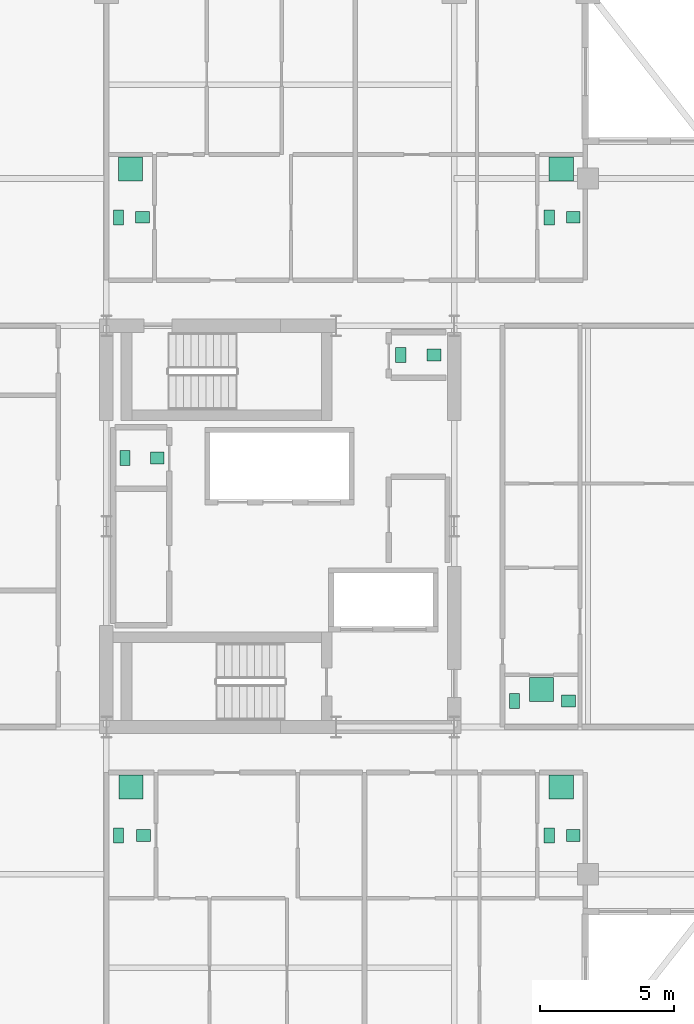
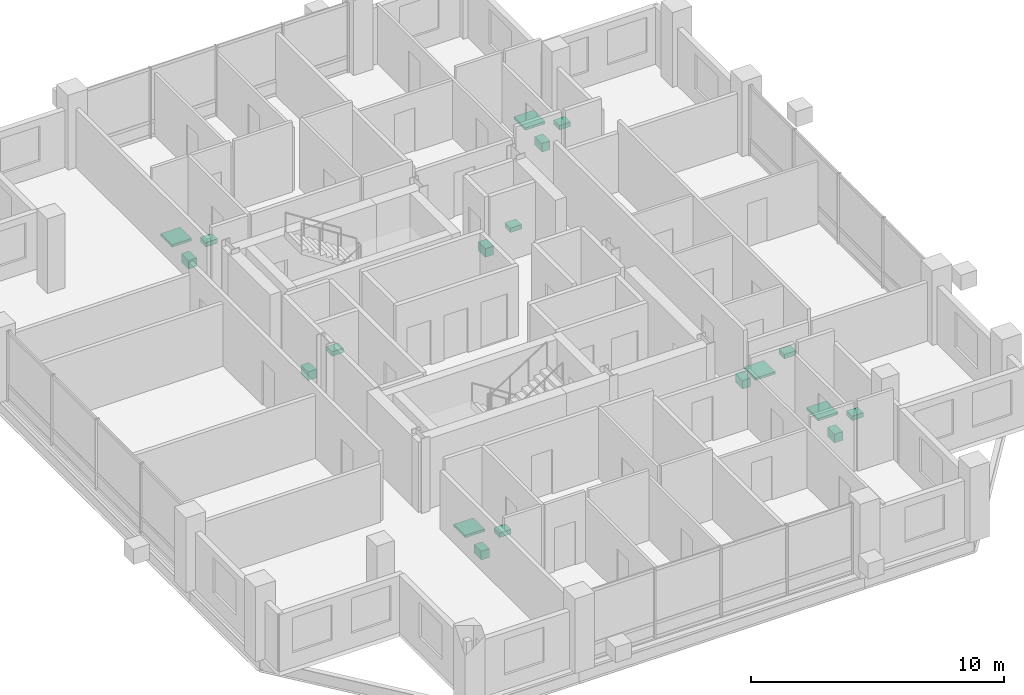
# One storey, part 21 of 21: 19 sanitary terminals.
"""IFC4 building model written with IfcOpenShell, lengths in metres."""

import ifcopenshell
import ifcopenshell.guid

model = None  # the IFC model being written
_history = None  # IfcOwnerHistory: only IFC2X3 demands one
_inside = {}  # id of a spatial element -> (the spatial element, [elements in it])
_under = {}  # id of a project, library or spatial element -> (it, [spatial elements below it])
_declared = {}  # id of a project -> (the project, [libraries it declares])
_typed = {}  # id of a type object -> (the type object, [elements of that type])
_made_of = {}  # id of a material, layer set ... -> (it, [elements and type objects made of it])


def new_model(schema):
    """Start an empty IFC model of exactly this schema.

    Asked for "IFC4X3", IfcOpenShell would pick the latest addendum, in which some entities
    have other attributes; the version numbers below select the first issue.
    IFC2X3 requires an IfcOwnerHistory on every rooted entity: one is made here for all.
    """
    global model, _history
    if schema == "IFC4X3":
        model = ifcopenshell.file(schema_version=(4, 3, 0, 0))
    else:
        model = ifcopenshell.file(schema=schema)
    _inside.clear()
    _under.clear()
    _declared.clear()
    _typed.clear()
    _made_of.clear()
    _history = None
    if model.schema == "IFC2X3":
        org = make("IfcOrganization", Name="unknown")
        user = make(
            "IfcPersonAndOrganization",
            ThePerson=make("IfcPerson", FamilyName="unknown"),
            TheOrganization=org,
        )
        app = make(
            "IfcApplication",
            ApplicationDeveloper=org,
            Version="unknown",
            ApplicationFullName="unknown",
            ApplicationIdentifier="unknown",
        )
        _history = make(
            "IfcOwnerHistory",
            OwningUser=user,
            OwningApplication=app,
            ChangeAction="ADDED",
            CreationDate=0,
        )
    return model


def make(cls, **values):
    """One entity of the class cls with the attributes given. An attribute that is None is left unset."""
    return model.create_entity(
        cls, **{name: value for name, value in values.items() if value is not None}
    )


def rooted(cls, **values):
    """An entity with a GlobalId (a new one), such as an element, a storey or a relation."""
    return make(cls, GlobalId=ifcopenshell.guid.new(), OwnerHistory=_history, **values)


def si_unit(unit_type, name, prefix=None):
    """IfcSIUnit, for example si_unit("LENGTHUNIT", "METRE", prefix="MILLI")."""
    return make("IfcSIUnit", UnitType=unit_type, Prefix=prefix, Name=name)


def assignment(units):
    """IfcUnitAssignment: the units of a project."""
    return None if units is None else make("IfcUnitAssignment", Units=units)


def point(xyz):
    """IfcCartesianPoint."""
    return None if xyz is None else make("IfcCartesianPoint", Coordinates=xyz)


def direction(xyz):
    """IfcDirection."""
    return None if xyz is None else make("IfcDirection", DirectionRatios=xyz)


def frame(location, z_axis=None, x_axis=None):
    """IfcAxis2Placement3D, a coordinate frame: its origin and axes. An axis left out is left unset."""
    return make(
        "IfcAxis2Placement3D",
        Location=point(location),
        Axis=direction(z_axis),
        RefDirection=direction(x_axis),
    )


def frame_2d(location, x_axis=None):
    """IfcAxis2Placement2D, a coordinate frame in the plane: its origin and x axis."""
    return make(
        "IfcAxis2Placement2D", Location=point(location), RefDirection=direction(x_axis)
    )


def origin():
    """The frame at (0, 0, 0) with its axes left unset."""
    return frame((0.0, 0.0, 0.0))


def origin_2d():
    """The frame at (0, 0) in the plane with its x axis left unset."""
    return frame_2d((0.0, 0.0))


def place(relative_to, where):
    """IfcLocalPlacement: puts the frame where relative to a parent placement (None: the world)."""
    return make(
        "IfcLocalPlacement", PlacementRelTo=relative_to, RelativePlacement=where
    )


def context(
    kind, dimensions, precision=None, world=None, true_north=None, identifier=None
):
    """IfcGeometricRepresentationContext, for example the 3D "Model" context."""
    return make(
        "IfcGeometricRepresentationContext",
        ContextIdentifier=identifier,
        ContextType=kind,
        CoordinateSpaceDimension=dimensions,
        Precision=precision,
        WorldCoordinateSystem=world,
        TrueNorth=true_north,
    )


def subcontext(parent, identifier, kind, view, scale=None):
    """IfcGeometricRepresentationSubContext, for example "Body" below "Model"."""
    return make(
        "IfcGeometricRepresentationSubContext",
        ContextIdentifier=identifier,
        ContextType=kind,
        ParentContext=parent,
        TargetScale=scale,
        TargetView=view,
    )


def project(units=None, contexts=None):
    """IfcProject with its units and contexts."""
    return rooted(
        "IfcProject",
        Name="project",
        RepresentationContexts=contexts,
        UnitsInContext=assignment(units),
    )


def spatial(cls, under=None, at=None, **own):
    """A site, building, storey or space (cls), placed at a placement, below another one or the project."""
    s = rooted(cls, ObjectPlacement=at, **own)
    if under is not None:
        _under.setdefault(under.id(), (under, []))[1].append(s)
    return s


def profile(cls, at=None, kind="AREA", **sizes):
    """A parametric profile (cls). Its sizes go by their IFC names, for example OverallWidth=200.0."""
    return make(cls, ProfileType=kind, Position=at, **sizes)


def rectangle(**sizes):
    """IfcRectangleProfileDef."""
    return profile("IfcRectangleProfileDef", **sizes)


def extrude(swept, where, along, depth):
    """IfcExtrudedAreaSolid: the profile swept, set in the frame where, extruded along a direction by depth."""
    return make(
        "IfcExtrudedAreaSolid",
        SweptArea=swept,
        Position=where,
        ExtrudedDirection=direction(along),
        Depth=depth,
    )


def shape(context_of_items, identifier, shape_type, items):
    """IfcShapeRepresentation: the items that make up one representation, for example the "Body"."""
    return make(
        "IfcShapeRepresentation",
        ContextOfItems=context_of_items,
        RepresentationIdentifier=identifier,
        RepresentationType=shape_type,
        Items=items,
    )


def material(Name=None, Category=None):
    """IfcMaterial."""
    return make("IfcMaterial", Name=Name, Category=Category)


def made_of(thing, what):
    """Note that an element or type object is made of a material, layer set ...; save() writes the relation."""
    if what is not None:
        _made_of.setdefault(what.id(), (what, []))[1].append(thing)
    return thing


def type_object(cls, material=None, **own):
    """A type object (cls), such as IfcWallType, which elements share."""
    return made_of(rooted(cls, **own), material)


def element(
    cls,
    number,
    at=None,
    inside=None,
    cuts=None,
    type_object=None,
    material=None,
    context=None,
    identifier="Body",
    shape_type=None,
    held_by="IfcProductDefinitionShape",
    body=None,
    shapes=None,
    **own,
):
    """One element of the class cls, such as IfcWall. Its Tag is "e" and its number.

    at: its placement. inside: the storey or other place that contains it. cuts: it is an
    opening in that element (IfcRelVoidsElement). A single representation is given by context,
    identifier, shape_type and body (its items); several are given by shapes. held_by: the class
    of the entity that holds the representations. save() writes the other relations.
    """
    e = rooted(cls, Tag="e%d" % number, ObjectPlacement=at, **own)
    if body is not None:
        shapes = [shape(context, identifier, shape_type, body)]
    if shapes is not None:
        e.Representation = make(held_by, Representations=shapes)
    if inside is not None:
        _inside.setdefault(inside.id(), (inside, []))[1].append(e)
    if cuts is not None:
        rooted(
            "IfcRelVoidsElement", RelatingBuildingElement=cuts, RelatedOpeningElement=e
        )
    if type_object is not None:
        _typed.setdefault(type_object.id(), (type_object, []))[1].append(e)
    return made_of(e, material)


def aggregate(whole, parts):
    """IfcRelAggregates: a whole, such as a stair, and the parts it consists of."""
    return rooted("IfcRelAggregates", RelatingObject=whole, RelatedObjects=parts)


def save(model, path):
    """Write the relations noted so far, then the file.

    IfcRelAggregates (storeys below a building ...), IfcRelContainedInSpatialStructure (elements
    in a storey), IfcRelDefinesByType, IfcRelAssociatesMaterial and IfcRelDeclares: one each for
    every whole, place, type object, material and project.
    """
    for whole, parts in _under.values():
        aggregate(whole, parts)
    for where, things in _inside.values():
        rooted(
            "IfcRelContainedInSpatialStructure",
            RelatedElements=things,
            RelatingStructure=where,
        )
    for kind, things in _typed.values():
        rooted("IfcRelDefinesByType", RelatedObjects=things, RelatingType=kind)
    for what, things in _made_of.values():
        rooted("IfcRelAssociatesMaterial", RelatedObjects=things, RelatingMaterial=what)
    for by, libraries in _declared.values():
        rooted("IfcRelDeclares", RelatingContext=by, RelatedDefinitions=libraries)
    model.write(path)


model = new_model("IFC4")

# Units and contexts
model_context = context("Model", 3, precision=1e-05, world=origin(), true_north=direction((0.0, 1.0)))
body_context = subcontext(model_context, "Body", "Model", "MODEL_VIEW")
ifc_project = project(units=[si_unit("LENGTHUNIT", "METRE"), si_unit("AREAUNIT", "SQUARE_METRE"), si_unit("VOLUMEUNIT", "CUBIC_METRE"), si_unit("PLANEANGLEUNIT", "RADIAN"), si_unit("MASSUNIT", "GRAM", prefix="KILO")], contexts=[model_context])

# Site, building, storey
site_placement = place(None, origin())
site = spatial("IfcSite", under=ifc_project, at=site_placement, CompositionType="ELEMENT")
building_placement = place(site_placement, origin())
building = spatial("IfcBuilding", under=site, at=building_placement, Name="Barlavira Tower and Art Museum", CompositionType="ELEMENT")
storey_placement = place(building_placement, frame((0.0, 0.0, 233.10009765625)))
storey = spatial("IfcBuildingStorey", under=building, at=storey_placement, Name="L60", CompositionType="ELEMENT", Elevation=233.10009765625)

# Sanitary terminals
ifc_material = material(Name="Vitreous glazed ceramic", Category="ceramic")
sanitary_terminal_type_1 = type_object("IfcSanitaryTerminalType", Name="Countertop Ceramic Wash Hand Basin", PredefinedType="WASHHANDBASIN", material=ifc_material)
for number, where, z_axis, x_axis, name in (
    (1, (-4.60009765625, 2.550048828125, 0.73974609375), (0.0, 0.0, 1.0), (1.0, 0.0, 0.0), "L60-C-REC1W Wash Basin"),
    (2, (5.75, 6.39990234375, 0.73974609375), (0.0, 0.0, 1.0), (1.0, 0.0, 0.0), "L60-C-AWC4 Wash Basin"),
    (3, (-5.110107421875, -11.550048828125, 0.73974609375), (0.0, 0.0, 1.0), (1.0, 0.0, 0.0), "L60-S1-BTH1 Wash Basin"),
    (4, (10.949951171875, -11.550048828125, 0.73974609375), (0.0, 0.0, 1.0), (1.0, 0.0, 0.0), "L60-S2-BTH1 Wash Basin"),
    (5, (-5.14990234375, 11.550048828125, 0.73974609375), (0.0, 0.0, 1.0), (1.0, 0.0, 0.0), "L60-N1-BTH1 Wash Basin"),
    (6, (10.949951171875, 11.550048828125, 0.73974609375), (0.0, 0.0, 1.0), (1.0, 0.0, 0.0), "L60-N2-BTH1 Wash Basin"),
    (7, (10.77001953125, -6.52490234375, 0.73974609375), (0.0, 0.0, 1.0), (1.0, 0.0, 0.0), "L60-E1-BTH1 Wash Basin"),
):
    element("IfcSanitaryTerminal", number, at=place(storey_placement, frame(where, z_axis=z_axis, x_axis=x_axis)), inside=storey, type_object=sanitary_terminal_type_1, Name=name, PredefinedType="WASHHANDBASIN", context=body_context, shape_type="SweptSolid", body=[
        extrude(rectangle(XDim=0.52001953125, YDim=0.43994140625, at=origin_2d()), origin(), (0.0, 0.0, 1.0), 0.219970703125),
    ])
sanitary_terminal_type_2 = type_object("IfcSanitaryTerminalType", Name="Walk-In Thermostatic Rain Shower Unit", PredefinedType="SHOWER", material=ifc_material)
for number, where, z_axis, x_axis, name in (
    (8, (-5.580078125, -9.75, -0.000244140625), (0.0, 0.0, 1.0), (1.0, 0.0, 0.0), "L60-S1-BTH1 Rain Shower"),
    (9, (10.5, -9.75, -0.000244140625), (0.0, 0.0, 1.0), (1.0, 0.0, 0.0), "L60-S2-BTH1 Rain Shower"),
    (10, (-5.60009765625, 13.35009765625, -0.000244140625), (0.0, 0.0, 1.0), (1.0, 0.0, 0.0), "L60-N1-BTH1 Rain Shower"),
    (11, (10.5, 13.35009765625, -0.000244140625), (0.0, 0.0, 1.0), (1.0, 0.0, 0.0), "L60-N2-BTH1 Rain Shower"),
    (12, (9.760009765625, -6.10009765625, -0.000244140625), (0.0, 0.0, 1.0), (1.0, 0.0, 0.0), "L60-E1-BTH1 Rain Shower"),
):
    element("IfcSanitaryTerminal", number, at=place(storey_placement, frame(where, z_axis=z_axis, x_axis=x_axis)), inside=storey, type_object=sanitary_terminal_type_2, Name=name, PredefinedType="SHOWER", context=body_context, shape_type="SweptSolid", body=[
        extrude(rectangle(XDim=0.89990234375, YDim=0.89990234375, at=origin_2d()), origin(), (0.0, 0.0, 1.0), 0.1201171875),
    ])
sanitary_terminal_type_3 = type_object("IfcSanitaryTerminalType", Name="Wall-Hung Dual-Flush Vitreous WC Pan", PredefinedType="TOILETPAN", material=ifc_material)
for number, where, z_axis, x_axis, name in (
    (13, (-5.800048828125, 2.550048828125, 0.0), (0.0, 0.0, 1.0), (1.0, 0.0, 0.0), "L60-C-REC1W WC Pan"),
    (14, (4.5, 6.39990234375, 0.0), (0.0, 0.0, 1.0), (1.0, 0.0, 0.0), "L60-C-AWC4 WC Pan"),
    (15, (-6.050048828125, -11.550048828125, 0.0), (0.0, 0.0, 1.0), (1.0, 0.0, 0.0), "L60-S1-BTH1 WC Pan"),
    (16, (10.050048828125, -11.550048828125, 0.0), (0.0, 0.0, 1.0), (1.0, 0.0, 0.0), "L60-S2-BTH1 WC Pan"),
    (17, (-6.050048828125, 11.550048828125, 0.0), (0.0, 0.0, 1.0), (1.0, 0.0, 0.0), "L60-N1-BTH1 WC Pan"),
    (18, (10.050048828125, 11.550048828125, 0.0), (0.0, 0.0, 1.0), (1.0, 0.0, 0.0), "L60-N2-BTH1 WC Pan"),
    (19, (8.75, -6.52490234375, 0.0), (0.0, 0.0, 1.0), (1.0, 0.0, 0.0), "L60-E1-BTH1 WC Pan"),
):
    element("IfcSanitaryTerminal", number, at=place(storey_placement, frame(where, z_axis=z_axis, x_axis=x_axis)), inside=storey, type_object=sanitary_terminal_type_3, Name=name, PredefinedType="TOILETPAN", context=body_context, shape_type="SweptSolid", body=[
        extrude(rectangle(XDim=0.3798828125, YDim=0.56005859375, at=origin_2d()), origin(), (0.0, 0.0, 1.0), 0.419921875),
    ])

save(model, "model.ifc")
